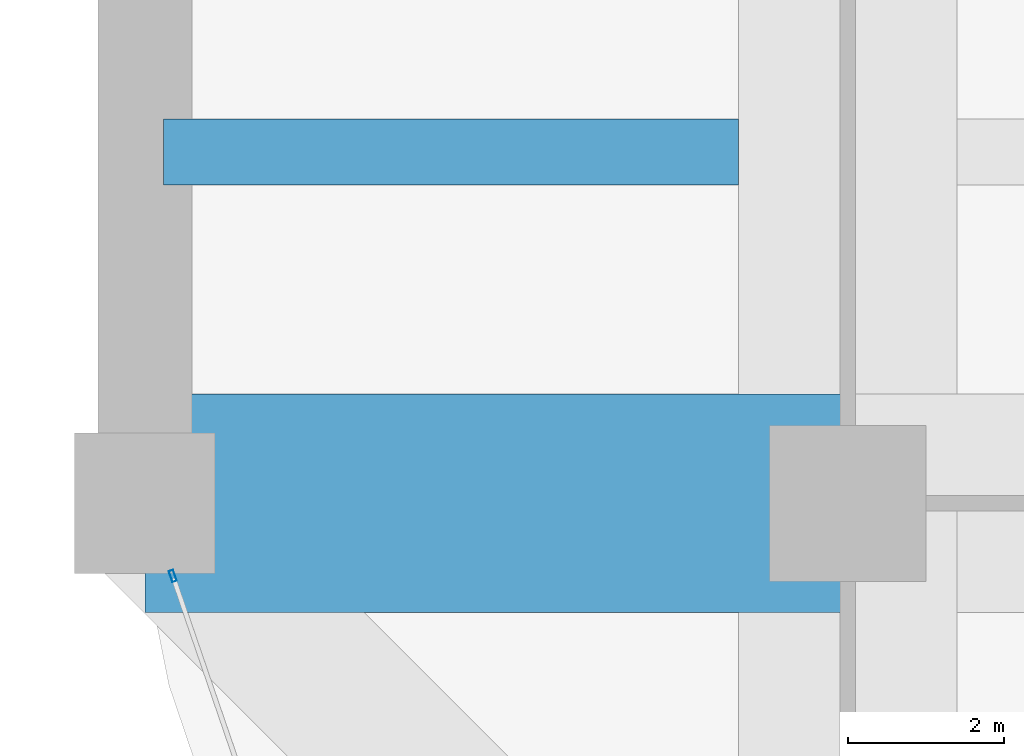
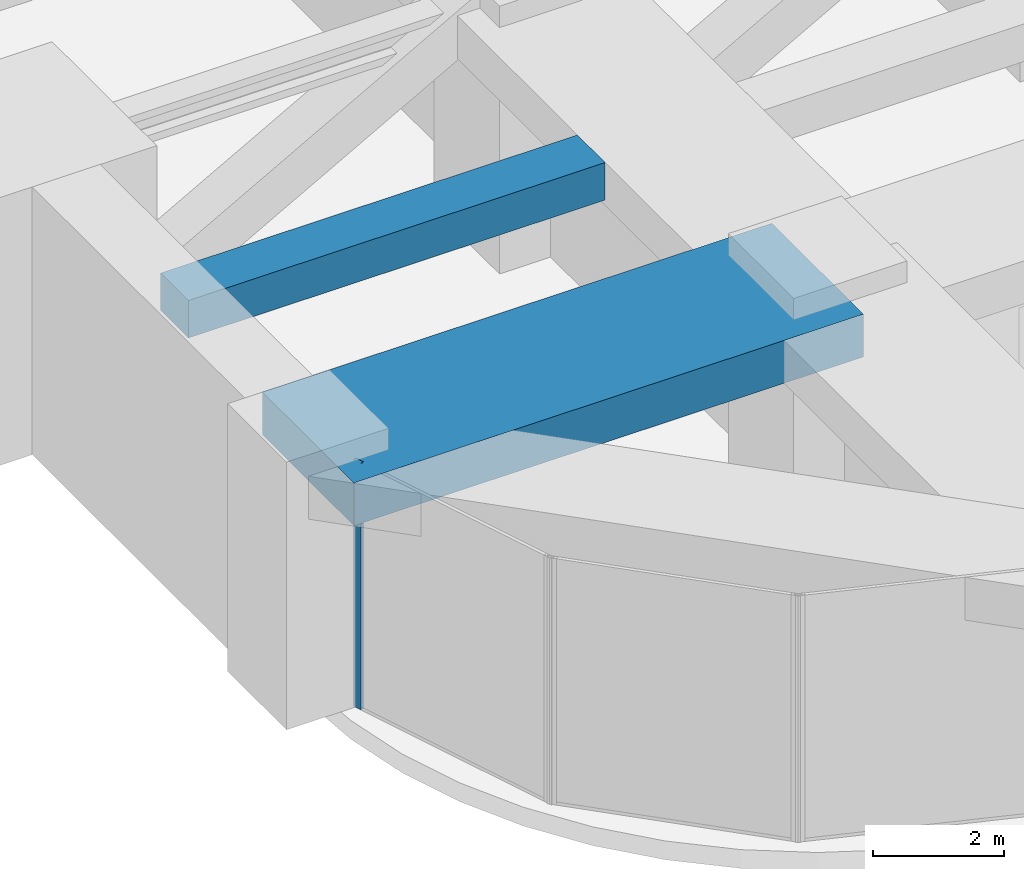
# One storey, part 5 of 38: 2 beams, 1 member, 1 element without a shape of its own.
"""IFC4 building model written with IfcOpenShell, lengths in metres."""

from ifc_helpers import new_model, si_unit, direction, frame, origin, origin_2d, place, context, subcontext, project, spatial, rectangle, hollow_rectangle, extrude, material, material_profile, profile_set, type_object, element, aggregate, save


model = new_model("IFC4")

# Units and contexts
model_context = context("Model", 3, precision=1e-05, world=origin(), true_north=direction((0.0, 1.0)))
body_context = subcontext(model_context, "Body", "Model", "MODEL_VIEW")
ifc_project = project(units=[si_unit("LENGTHUNIT", "METRE"), si_unit("AREAUNIT", "SQUARE_METRE"), si_unit("VOLUMEUNIT", "CUBIC_METRE"), si_unit("PLANEANGLEUNIT", "RADIAN"), si_unit("MASSUNIT", "GRAM", prefix="KILO")], contexts=[model_context])

# Site, building, storey
site_placement = place(None, origin())
site = spatial("IfcSite", under=ifc_project, at=site_placement, CompositionType="ELEMENT")
building_placement = place(site_placement, origin())
building = spatial("IfcBuilding", under=site, at=building_placement, Name="Zorevar Civic Tower", CompositionType="ELEMENT")
storey_placement = place(building_placement, frame((0.0, 0.0, 157.199951171875)))
storey = spatial("IfcBuildingStorey", under=building, at=storey_placement, Name="L38", CompositionType="ELEMENT", Elevation=157.199951171875)

# Beams
ifc_material_1 = material(Name="Concrete C50/60", Category="concrete")
ifc_material_profile_1 = material_profile(ifc_material_1, rectangle(XDim=2.800048828125, YDim=0.800048828125, at=origin_2d()), Name="RC 2800x800")
ifc_profile_set_1 = profile_set([ifc_material_profile_1], Name="Concrete C50/60")
beam_type_1 = type_object("IfcBeamType", Name="Beam RC 2800x800", PredefinedType="BEAM", material=ifc_profile_set_1)
beam_1_placement = place(storey_placement, frame((0.0, 9.0, 4.199951171875), z_axis=(1.0, 0.0, 0.0), x_axis=(0.0, 1.0, 0.0)))
element("IfcBeam", 1, at=beam_1_placement, inside=storey, type_object=beam_type_1, Name="Girder L39", PredefinedType="BEAM", context=body_context, shape_type="SweptSolid", body=[
    extrude(rectangle(XDim=2.800048828125, YDim=0.800048828125, at=origin_2d()), origin(), (0.0, 0.0, 1.0), 9.0),
])
ifc_material_2 = material(Name="Concrete C50/60", Category="concrete")
ifc_material_profile_2 = material_profile(ifc_material_2, rectangle(XDim=0.85009765625, YDim=0.699951171875, at=origin_2d()), Name="RC 850x700")
ifc_profile_set_2 = profile_set([ifc_material_profile_2], Name="Concrete C50/60")
beam_type_2 = type_object("IfcBeamType", Name="Beam RC 850x700", PredefinedType="BEAM", material=ifc_profile_set_2)
beam_2_placement = place(storey_placement, frame((0.238037109375, 13.5, 4.25), z_axis=(1.0, 0.0, 0.0), x_axis=(0.0, 1.0, 0.0)))
element("IfcBeam", 2, at=beam_2_placement, inside=storey, type_object=beam_type_2, Name="Secondary beam L39", PredefinedType="BEAM", context=body_context, shape_type="SweptSolid", body=[
    extrude(rectangle(XDim=0.85009765625, YDim=0.699951171875, at=origin_2d()), origin(), (0.0, 0.0, 1.0), 7.362060546875),
])

# Curtain wall, member
ifc_material_3 = material(Name="Black aluminium louvres", Category="aluminium")
curtain_wall_type = type_object("IfcCurtainWallType", Name="Louvred curtain wall CW6 refuge", PredefinedType="NOTDEFINED", material=ifc_material_3)
curtain_wall_placement = place(storey_placement, origin())
curtain_wall = element("IfcCurtainWall", 3, at=curtain_wall_placement, inside=storey, type_object=curtain_wall_type, Name="CW6 L38", PredefinedType="NOTDEFINED")
ifc_material_4 = material(Name="Aluminium, black anodised", Category="aluminium")
ifc_material_profile_3 = material_profile(ifc_material_4, hollow_rectangle(XDim=0.06005859375, YDim=0.14990234375, WallThickness=0.00390625, at=origin_2d()), Name="AL 150x60x4")
ifc_profile_set_3 = profile_set([ifc_material_profile_3], Name="Aluminium, black anodised")
member_type = type_object("IfcMemberType", Name="CW6 mullion AL 150x60x4", PredefinedType="MULLION", material=ifc_profile_set_3)
member_placement = place(storey_placement, frame((0.3564453125, 8.071533203125, 0.0), z_axis=(0.0, 0.0, 1.0), x_axis=(0.945755772794, 0.324878466857, 0.0)))
member = element("IfcMember", 4, at=member_placement, type_object=member_type, Name="CW6 mullion 1", PredefinedType="MULLION", context=body_context, shape_type="SweptSolid", body=[
    extrude(hollow_rectangle(XDim=0.06005859375, YDim=0.14990234375, WallThickness=0.00390625, at=origin_2d()), origin(), (0.0, 0.0, 1.0), 4.60009765625),
])
aggregate(curtain_wall, [member])

save(model, "model.ifc")
